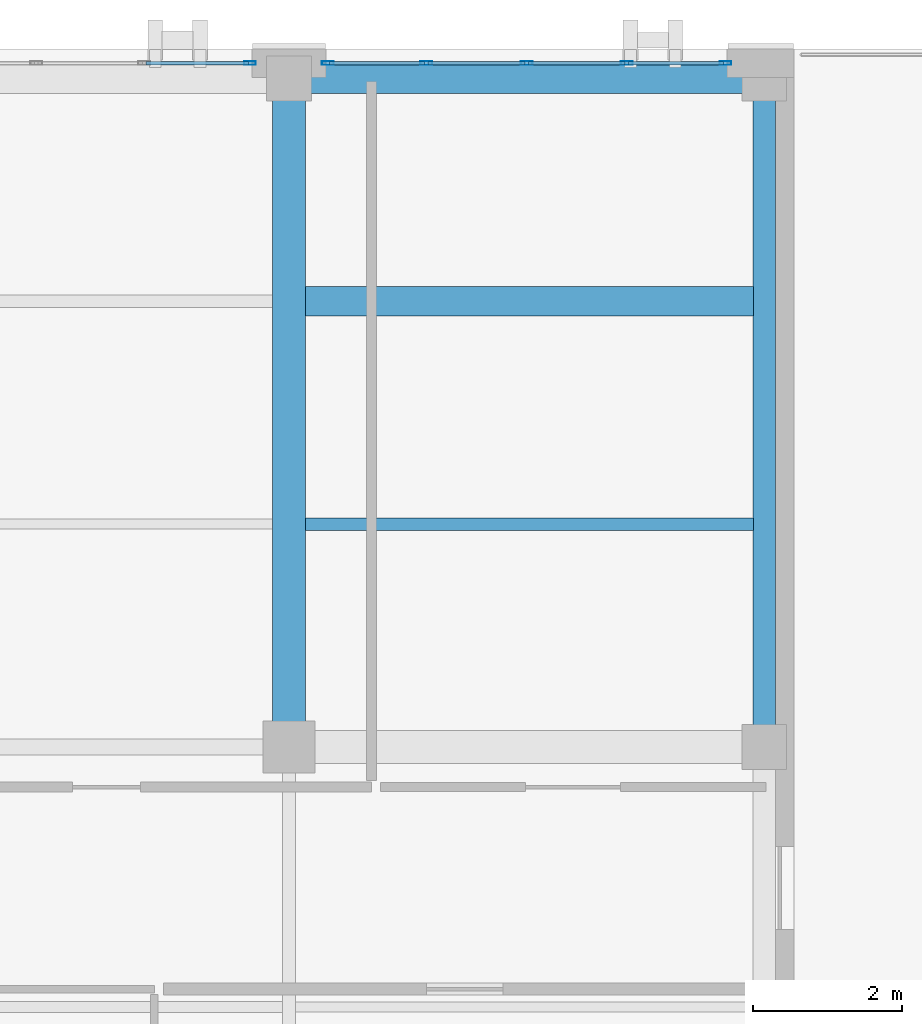
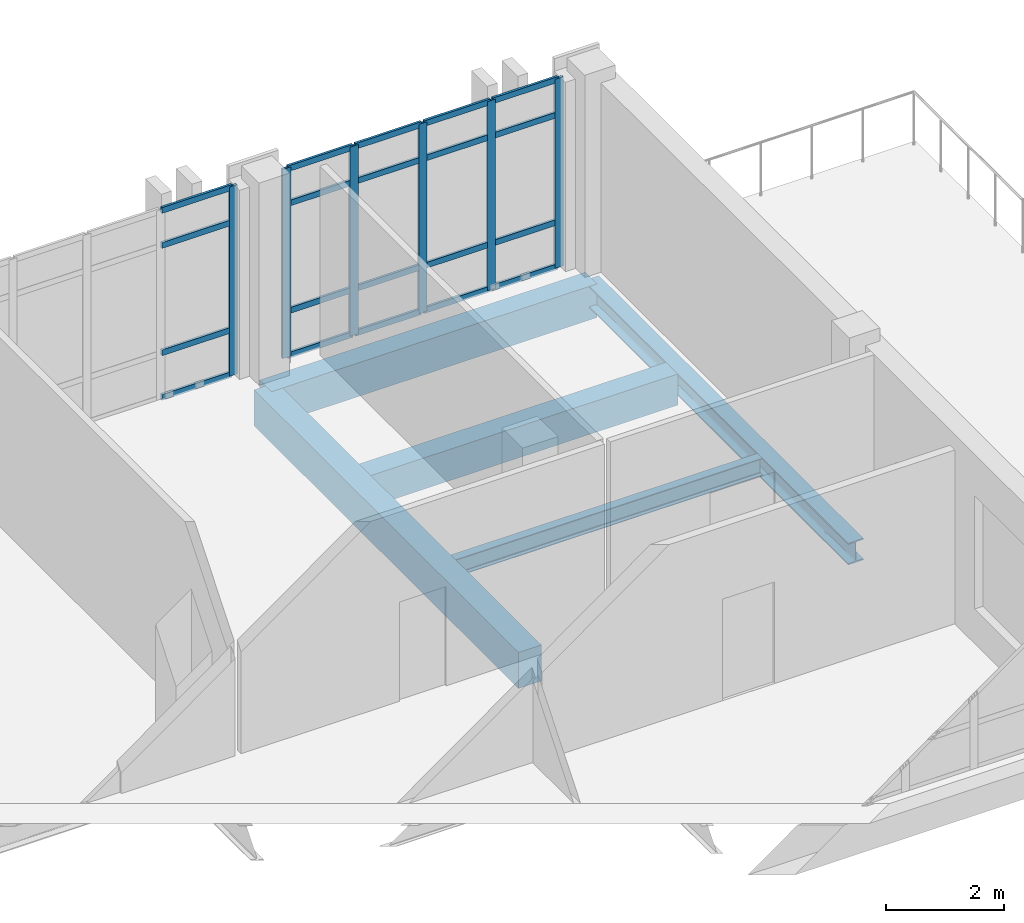
# One storey, part 49 of 90: 26 members, 5 beams, 2 elements without a shape of their own.
"""IFC4 building model written with IfcOpenShell, lengths in metres."""

from ifc_helpers import new_model, si_unit, direction, frame, origin, origin_2d, place, context, subcontext, project, spatial, rectangle, hollow_rectangle, i_section, extrude, material, layer, layer_set, material_profile, profile_set, type_object, element, aggregate, save


model = new_model("IFC4")

# Units and contexts
model_context = context("Model", 3, precision=1e-05, world=origin(), true_north=direction((0.0, 1.0)))
body_context = subcontext(model_context, "Body", "Model", "MODEL_VIEW")
ifc_project = project(units=[si_unit("LENGTHUNIT", "METRE"), si_unit("AREAUNIT", "SQUARE_METRE"), si_unit("VOLUMEUNIT", "CUBIC_METRE"), si_unit("PLANEANGLEUNIT", "RADIAN"), si_unit("MASSUNIT", "GRAM", prefix="KILO")], contexts=[model_context])

# Site, building, storey
site_placement = place(None, origin())
site = spatial("IfcSite", under=ifc_project, at=site_placement, CompositionType="ELEMENT")
building_placement = place(site_placement, origin())
building = spatial("IfcBuilding", under=site, at=building_placement, Name="Qalavern Law Courts", CompositionType="ELEMENT")
storey_placement = place(building_placement, frame((0.0, 0.0, 22.800048828125)))
storey = spatial("IfcBuildingStorey", under=building, at=storey_placement, Name="L05", CompositionType="ELEMENT", Elevation=22.800048828125)

# Curtain wall, members
ifc_material_1 = material(Name="Anodised aluminium and insulated glazing", Category="aluminium")
ifc_layer = layer(ifc_material_1, 0.166015625)
ifc_layer_set = layer_set([ifc_layer], Name="Anodised aluminium and insulated glazing")
curtain_wall_type = type_object("IfcCurtainWallType", Name="ENV-CW-LIB", PredefinedType="USERDEFINED", material=ifc_layer_set)
curtain_wall_1_placement = place(storey_placement, origin())
curtain_wall_1 = element("IfcCurtainWall", 1, at=curtain_wall_1_placement, inside=storey, type_object=curtain_wall_type, Name="V5 unitised curtain wall L05 north 1", ObjectType="UNITISED CURTAIN WALL", PredefinedType="USERDEFINED")
ifc_material_2 = material(Name="Anodised aluminium", Category="aluminium")
ifc_material_profile_1 = material_profile(ifc_material_2, hollow_rectangle(XDim=0.048095703125, YDim=0.159912109375, WallThickness=0.00390625, at=origin_2d()), Name="ALU MULLION 48x160")
ifc_profile_set_1 = profile_set([ifc_material_profile_1], Name="Anodised aluminium")
member_type_1 = type_object("IfcMemberType", Name="ENV-CWM-48x160", PredefinedType="MULLION", material=ifc_profile_set_1)
member_1_placement = place(storey_placement, frame((57.47607421875, 112.8076171875, 0.0), z_axis=(0.0, 0.0, 1.0), x_axis=(0.0, -1.0, 0.0)))
member_1 = element("IfcMember", 2, at=member_1_placement, type_object=member_type_1, Name="CW-05 mullion 1", PredefinedType="MULLION", context=body_context, shape_type="SweptSolid", body=[
    extrude(hollow_rectangle(XDim=0.048095703125, YDim=0.159912109375, WallThickness=0.00390625, at=origin_2d()), origin(), (0.0, 0.0, 1.0), 3.929931640625),
])
member_2_placement = place(storey_placement, frame((56.14990234375, 112.8076171875, 0.0), z_axis=(0.0, 0.0, 1.0), x_axis=(0.0, -1.0, 0.0)))
member_2 = element("IfcMember", 3, at=member_2_placement, type_object=member_type_1, Name="CW-05 mullion 2", PredefinedType="MULLION", context=body_context, shape_type="SweptSolid", body=[
    extrude(hollow_rectangle(XDim=0.048095703125, YDim=0.159912109375, WallThickness=0.00390625, at=origin_2d()), origin(), (0.0, 0.0, 1.0), 3.929931640625),
])
member_3_placement = place(storey_placement, frame((54.800048828125, 112.8076171875, 0.0), z_axis=(0.0, 0.0, 1.0), x_axis=(0.0, -1.0, 0.0)))
member_3 = element("IfcMember", 4, at=member_3_placement, type_object=member_type_1, Name="CW-05 mullion 3", PredefinedType="MULLION", context=body_context, shape_type="SweptSolid", body=[
    extrude(hollow_rectangle(XDim=0.048095703125, YDim=0.159912109375, WallThickness=0.00390625, at=origin_2d()), origin(), (0.0, 0.0, 1.0), 3.929931640625),
])
member_4_placement = place(storey_placement, frame((53.449951171875, 112.8076171875, 0.0), z_axis=(0.0, 0.0, 1.0), x_axis=(0.0, -1.0, 0.0)))
member_4 = element("IfcMember", 5, at=member_4_placement, type_object=member_type_1, Name="CW-05 mullion 4", PredefinedType="MULLION", context=body_context, shape_type="SweptSolid", body=[
    extrude(hollow_rectangle(XDim=0.048095703125, YDim=0.159912109375, WallThickness=0.00390625, at=origin_2d()), origin(), (0.0, 0.0, 1.0), 3.929931640625),
])
member_5_placement = place(storey_placement, frame((52.1240234375, 112.8076171875, 0.0), z_axis=(0.0, 0.0, 1.0), x_axis=(0.0, -1.0, 0.0)))
member_5 = element("IfcMember", 6, at=member_5_placement, type_object=member_type_1, Name="CW-05 mullion 5", PredefinedType="MULLION", context=body_context, shape_type="SweptSolid", body=[
    extrude(hollow_rectangle(XDim=0.048095703125, YDim=0.159912109375, WallThickness=0.00390625, at=origin_2d()), origin(), (0.0, 0.0, 1.0), 3.929931640625),
])

# Curtain wall, member
curtain_wall_2_placement = place(storey_placement, origin())
curtain_wall_2 = element("IfcCurtainWall", 7, at=curtain_wall_2_placement, inside=storey, type_object=curtain_wall_type, Name="V5 unitised curtain wall L05 north 2", ObjectType="UNITISED CURTAIN WALL", PredefinedType="USERDEFINED")
member_6_placement = place(storey_placement, frame((51.075927734375, 112.8076171875, 0.0), z_axis=(0.0, 0.0, 1.0), x_axis=(0.0, -1.0, 0.0)))
member_6 = element("IfcMember", 8, at=member_6_placement, type_object=member_type_1, Name="CW-05 mullion 1", PredefinedType="MULLION", context=body_context, shape_type="SweptSolid", body=[
    extrude(hollow_rectangle(XDim=0.048095703125, YDim=0.159912109375, WallThickness=0.00390625, at=origin_2d()), origin(), (0.0, 0.0, 1.0), 3.929931640625),
])

# Member
ifc_material_profile_2 = material_profile(ifc_material_2, hollow_rectangle(XDim=0.048095703125, YDim=0.1201171875, WallThickness=0.00390625, at=origin_2d()), Name="ALU TRANSOM 48x120")
ifc_profile_set_2 = profile_set([ifc_material_profile_2], Name="Anodised aluminium")
member_type_2 = type_object("IfcMemberType", Name="ENV-CWT-48x120", PredefinedType="USERDEFINED", material=ifc_profile_set_2)
member_7_placement = place(storey_placement, frame((57.451904296875, 112.8076171875, 0.02392578125), z_axis=(-1.0, 0.0, 0.0), x_axis=(0.0, -1.0, 0.0)))
member_7 = element("IfcMember", 9, at=member_7_placement, type_object=member_type_2, Name="CW-05 transom 1.1", ObjectType="TRANSOM", PredefinedType="USERDEFINED", context=body_context, shape_type="SweptSolid", body=[
    extrude(hollow_rectangle(XDim=0.048095703125, YDim=0.1201171875, WallThickness=0.00390625, at=origin_2d()), origin(), (0.0, 0.0, 1.0), 1.27783203125),
])

member_8_placement = place(storey_placement, frame((57.451904296875, 112.8076171875, 0.949951171875), z_axis=(-1.0, 0.0, 0.0), x_axis=(0.0, -1.0, 0.0)))
member_8 = element("IfcMember", 10, at=member_8_placement, type_object=member_type_2, Name="CW-05 transom 1.2", ObjectType="TRANSOM", PredefinedType="USERDEFINED", context=body_context, shape_type="SweptSolid", body=[
    extrude(hollow_rectangle(XDim=0.048095703125, YDim=0.1201171875, WallThickness=0.00390625, at=origin_2d()), origin(), (0.0, 0.0, 1.0), 1.27783203125),
])

member_9_placement = place(storey_placement, frame((57.451904296875, 112.8076171875, 3.179931640625), z_axis=(-1.0, 0.0, 0.0), x_axis=(0.0, -1.0, 0.0)))
member_9 = element("IfcMember", 11, at=member_9_placement, type_object=member_type_2, Name="CW-05 transom 1.3", ObjectType="TRANSOM", PredefinedType="USERDEFINED", context=body_context, shape_type="SweptSolid", body=[
    extrude(hollow_rectangle(XDim=0.048095703125, YDim=0.1201171875, WallThickness=0.00390625, at=origin_2d()), origin(), (0.0, 0.0, 1.0), 1.27783203125),
])

member_10_placement = place(storey_placement, frame((57.451904296875, 112.8076171875, 3.906005859375), z_axis=(-1.0, 0.0, 0.0), x_axis=(0.0, -1.0, 0.0)))
member_10 = element("IfcMember", 12, at=member_10_placement, type_object=member_type_2, Name="CW-05 transom 1.4", ObjectType="TRANSOM", PredefinedType="USERDEFINED", context=body_context, shape_type="SweptSolid", body=[
    extrude(hollow_rectangle(XDim=0.048095703125, YDim=0.1201171875, WallThickness=0.00390625, at=origin_2d()), origin(), (0.0, 0.0, 1.0), 1.27783203125),
])

member_11_placement = place(storey_placement, frame((56.1259765625, 112.8076171875, 0.02392578125), z_axis=(-1.0, 0.0, 0.0), x_axis=(0.0, -1.0, 0.0)))
member_11 = element("IfcMember", 13, at=member_11_placement, type_object=member_type_2, Name="CW-05 transom 2.1", ObjectType="TRANSOM", PredefinedType="USERDEFINED", context=body_context, shape_type="SweptSolid", body=[
    extrude(hollow_rectangle(XDim=0.048095703125, YDim=0.1201171875, WallThickness=0.00390625, at=origin_2d()), origin(), (0.0, 0.0, 1.0), 1.302001953125),
])

member_12_placement = place(storey_placement, frame((56.1259765625, 112.8076171875, 0.949951171875), z_axis=(-1.0, 0.0, 0.0), x_axis=(0.0, -1.0, 0.0)))
member_12 = element("IfcMember", 14, at=member_12_placement, type_object=member_type_2, Name="CW-05 transom 2.2", ObjectType="TRANSOM", PredefinedType="USERDEFINED", context=body_context, shape_type="SweptSolid", body=[
    extrude(hollow_rectangle(XDim=0.048095703125, YDim=0.1201171875, WallThickness=0.00390625, at=origin_2d()), origin(), (0.0, 0.0, 1.0), 1.302001953125),
])

member_13_placement = place(storey_placement, frame((56.1259765625, 112.8076171875, 3.179931640625), z_axis=(-1.0, 0.0, 0.0), x_axis=(0.0, -1.0, 0.0)))
member_13 = element("IfcMember", 15, at=member_13_placement, type_object=member_type_2, Name="CW-05 transom 2.3", ObjectType="TRANSOM", PredefinedType="USERDEFINED", context=body_context, shape_type="SweptSolid", body=[
    extrude(hollow_rectangle(XDim=0.048095703125, YDim=0.1201171875, WallThickness=0.00390625, at=origin_2d()), origin(), (0.0, 0.0, 1.0), 1.302001953125),
])

member_14_placement = place(storey_placement, frame((56.1259765625, 112.8076171875, 3.906005859375), z_axis=(-1.0, 0.0, 0.0), x_axis=(0.0, -1.0, 0.0)))
member_14 = element("IfcMember", 16, at=member_14_placement, type_object=member_type_2, Name="CW-05 transom 2.4", ObjectType="TRANSOM", PredefinedType="USERDEFINED", context=body_context, shape_type="SweptSolid", body=[
    extrude(hollow_rectangle(XDim=0.048095703125, YDim=0.1201171875, WallThickness=0.00390625, at=origin_2d()), origin(), (0.0, 0.0, 1.0), 1.302001953125),
])

member_15_placement = place(storey_placement, frame((54.77587890625, 112.8076171875, 0.02392578125), z_axis=(-1.0, 0.0, 0.0), x_axis=(0.0, -1.0, 0.0)))
member_15 = element("IfcMember", 17, at=member_15_placement, type_object=member_type_2, Name="CW-05 transom 3.1", ObjectType="TRANSOM", PredefinedType="USERDEFINED", context=body_context, shape_type="SweptSolid", body=[
    extrude(hollow_rectangle(XDim=0.048095703125, YDim=0.1201171875, WallThickness=0.00390625, at=origin_2d()), origin(), (0.0, 0.0, 1.0), 1.3017578125),
])

member_16_placement = place(storey_placement, frame((54.77587890625, 112.8076171875, 0.949951171875), z_axis=(-1.0, 0.0, 0.0), x_axis=(0.0, -1.0, 0.0)))
member_16 = element("IfcMember", 18, at=member_16_placement, type_object=member_type_2, Name="CW-05 transom 3.2", ObjectType="TRANSOM", PredefinedType="USERDEFINED", context=body_context, shape_type="SweptSolid", body=[
    extrude(hollow_rectangle(XDim=0.048095703125, YDim=0.1201171875, WallThickness=0.00390625, at=origin_2d()), origin(), (0.0, 0.0, 1.0), 1.3017578125),
])

member_17_placement = place(storey_placement, frame((54.77587890625, 112.8076171875, 3.179931640625), z_axis=(-1.0, 0.0, 0.0), x_axis=(0.0, -1.0, 0.0)))
member_17 = element("IfcMember", 19, at=member_17_placement, type_object=member_type_2, Name="CW-05 transom 3.3", ObjectType="TRANSOM", PredefinedType="USERDEFINED", context=body_context, shape_type="SweptSolid", body=[
    extrude(hollow_rectangle(XDim=0.048095703125, YDim=0.1201171875, WallThickness=0.00390625, at=origin_2d()), origin(), (0.0, 0.0, 1.0), 1.3017578125),
])

member_18_placement = place(storey_placement, frame((54.77587890625, 112.8076171875, 3.906005859375), z_axis=(-1.0, 0.0, 0.0), x_axis=(0.0, -1.0, 0.0)))
member_18 = element("IfcMember", 20, at=member_18_placement, type_object=member_type_2, Name="CW-05 transom 3.4", ObjectType="TRANSOM", PredefinedType="USERDEFINED", context=body_context, shape_type="SweptSolid", body=[
    extrude(hollow_rectangle(XDim=0.048095703125, YDim=0.1201171875, WallThickness=0.00390625, at=origin_2d()), origin(), (0.0, 0.0, 1.0), 1.3017578125),
])

member_19_placement = place(storey_placement, frame((53.426025390625, 112.8076171875, 0.02392578125), z_axis=(-1.0, 0.0, 0.0), x_axis=(0.0, -1.0, 0.0)))
member_19 = element("IfcMember", 21, at=member_19_placement, type_object=member_type_2, Name="CW-05 transom 4.1", ObjectType="TRANSOM", PredefinedType="USERDEFINED", context=body_context, shape_type="SweptSolid", body=[
    extrude(hollow_rectangle(XDim=0.048095703125, YDim=0.1201171875, WallThickness=0.00390625, at=origin_2d()), origin(), (0.0, 0.0, 1.0), 1.278076171875),
])

member_20_placement = place(storey_placement, frame((53.426025390625, 112.8076171875, 0.949951171875), z_axis=(-1.0, 0.0, 0.0), x_axis=(0.0, -1.0, 0.0)))
member_20 = element("IfcMember", 22, at=member_20_placement, type_object=member_type_2, Name="CW-05 transom 4.2", ObjectType="TRANSOM", PredefinedType="USERDEFINED", context=body_context, shape_type="SweptSolid", body=[
    extrude(hollow_rectangle(XDim=0.048095703125, YDim=0.1201171875, WallThickness=0.00390625, at=origin_2d()), origin(), (0.0, 0.0, 1.0), 1.278076171875),
])

member_21_placement = place(storey_placement, frame((53.426025390625, 112.8076171875, 3.179931640625), z_axis=(-1.0, 0.0, 0.0), x_axis=(0.0, -1.0, 0.0)))
member_21 = element("IfcMember", 23, at=member_21_placement, type_object=member_type_2, Name="CW-05 transom 4.3", ObjectType="TRANSOM", PredefinedType="USERDEFINED", context=body_context, shape_type="SweptSolid", body=[
    extrude(hollow_rectangle(XDim=0.048095703125, YDim=0.1201171875, WallThickness=0.00390625, at=origin_2d()), origin(), (0.0, 0.0, 1.0), 1.278076171875),
])

member_22_placement = place(storey_placement, frame((53.426025390625, 112.8076171875, 3.906005859375), z_axis=(-1.0, 0.0, 0.0), x_axis=(0.0, -1.0, 0.0)))
member_22 = element("IfcMember", 24, at=member_22_placement, type_object=member_type_2, Name="CW-05 transom 4.4", ObjectType="TRANSOM", PredefinedType="USERDEFINED", context=body_context, shape_type="SweptSolid", body=[
    extrude(hollow_rectangle(XDim=0.048095703125, YDim=0.1201171875, WallThickness=0.00390625, at=origin_2d()), origin(), (0.0, 0.0, 1.0), 1.278076171875),
])

aggregate(curtain_wall_1, [member_1, member_2, member_3, member_4, member_5, member_7, member_8, member_9, member_10, member_11, member_12, member_13, member_14, member_15, member_16, member_17, member_18, member_19, member_20, member_21, member_22])

member_23_placement = place(storey_placement, frame((51.052001953125, 112.8076171875, 0.02392578125), z_axis=(-1.0, 0.0, 0.0), x_axis=(0.0, -1.0, 0.0)))
member_23 = element("IfcMember", 25, at=member_23_placement, type_object=member_type_2, Name="CW-05 transom 1.1", ObjectType="TRANSOM", PredefinedType="USERDEFINED", context=body_context, shape_type="SweptSolid", body=[
    extrude(hollow_rectangle(XDim=0.048095703125, YDim=0.1201171875, WallThickness=0.00390625, at=origin_2d()), origin(), (0.0, 0.0, 1.0), 1.3779296875),
])

member_24_placement = place(storey_placement, frame((51.052001953125, 112.8076171875, 0.949951171875), z_axis=(-1.0, 0.0, 0.0), x_axis=(0.0, -1.0, 0.0)))
member_24 = element("IfcMember", 26, at=member_24_placement, type_object=member_type_2, Name="CW-05 transom 1.2", ObjectType="TRANSOM", PredefinedType="USERDEFINED", context=body_context, shape_type="SweptSolid", body=[
    extrude(hollow_rectangle(XDim=0.048095703125, YDim=0.1201171875, WallThickness=0.00390625, at=origin_2d()), origin(), (0.0, 0.0, 1.0), 1.3779296875),
])

member_25_placement = place(storey_placement, frame((51.052001953125, 112.8076171875, 3.179931640625), z_axis=(-1.0, 0.0, 0.0), x_axis=(0.0, -1.0, 0.0)))
member_25 = element("IfcMember", 27, at=member_25_placement, type_object=member_type_2, Name="CW-05 transom 1.3", ObjectType="TRANSOM", PredefinedType="USERDEFINED", context=body_context, shape_type="SweptSolid", body=[
    extrude(hollow_rectangle(XDim=0.048095703125, YDim=0.1201171875, WallThickness=0.00390625, at=origin_2d()), origin(), (0.0, 0.0, 1.0), 1.3779296875),
])

member_26_placement = place(storey_placement, frame((51.052001953125, 112.8076171875, 3.906005859375), z_axis=(-1.0, 0.0, 0.0), x_axis=(0.0, -1.0, 0.0)))
member_26 = element("IfcMember", 28, at=member_26_placement, type_object=member_type_2, Name="CW-05 transom 1.4", ObjectType="TRANSOM", PredefinedType="USERDEFINED", context=body_context, shape_type="SweptSolid", body=[
    extrude(hollow_rectangle(XDim=0.048095703125, YDim=0.1201171875, WallThickness=0.00390625, at=origin_2d()), origin(), (0.0, 0.0, 1.0), 1.3779296875),
])

aggregate(curtain_wall_2, [member_6, member_23, member_24, member_25, member_26])

# Beams
ifc_material_3 = material(Name="Concrete C40/50", Category="concrete")
ifc_material_profile_3 = material_profile(ifc_material_3, rectangle(XDim=0.449951171875, YDim=0.75, at=origin_2d()), Name="RC 450x750")
ifc_profile_set_3 = profile_set([ifc_material_profile_3], Name="Concrete C40/50")
beam_type_1 = type_object("IfcBeamType", Name="STR-BM-RC450x750", PredefinedType="BEAM", material=ifc_profile_set_3)
beam_1_placement = place(storey_placement, frame((51.60009765625, 103.60009765625, -0.671142578125), z_axis=(0.0, 1.0, 0.0), x_axis=(-1.0, 0.0, 0.0)))
element("IfcBeam", 29, at=beam_1_placement, inside=storey, type_object=beam_type_1, Name="V5 Y-beam 4-2 L05", PredefinedType="BEAM", context=body_context, shape_type="SweptSolid", body=[
    extrude(rectangle(XDim=0.449951171875, YDim=0.75, at=origin_2d()), origin(), (0.0, 0.0, 1.0), 9.0),
])
ifc_material_4 = material(Name="Steel S355", Category="steel")
ifc_material_profile_4 = material_profile(ifc_material_4, i_section(OverallWidth=0.169921875, OverallDepth=0.360107421875, WebThickness=0.008056640625, FlangeThickness=0.0126953125, FilletRadius=0.01806640625, at=origin_2d()), Name="IPE 360")
ifc_profile_set_4 = profile_set([ifc_material_profile_4], Name="Steel S355")
beam_type_2 = type_object("IfcBeamType", Name="STR-JST-IPE360", PredefinedType="JOIST", material=ifc_profile_set_4)
beam_2_placement = place(storey_placement, frame((51.822998046875, 106.60009765625, -0.47607421875), z_axis=(1.0, 0.0, 0.0), x_axis=(0.0, 1.0, 0.0)))
element("IfcBeam", 30, at=beam_2_placement, inside=storey, type_object=beam_type_2, Name="V5 secondary joist 4.2.1 L05", PredefinedType="JOIST", context=body_context, shape_type="SweptSolid", body=[
    extrude(i_section(OverallWidth=0.169921875, OverallDepth=0.360107421875, WebThickness=0.008056640625, FlangeThickness=0.0126953125, FilletRadius=0.01806640625, at=origin_2d()), origin(), (0.0, 0.0, 1.0), 6.029052734375),
])
ifc_material_5 = material(Name="Concrete C35/45", Category="concrete")
ifc_material_profile_5 = material_profile(ifc_material_5, rectangle(XDim=0.39990234375, YDim=0.64990234375, at=origin_2d()), Name="RC 400x650")
ifc_profile_set_5 = profile_set([ifc_material_profile_5], Name="Concrete C35/45")
beam_type_3 = type_object("IfcBeamType", Name="STR-JST-RC400x650", PredefinedType="JOIST", material=ifc_profile_set_5)
beam_3_placement = place(storey_placement, frame((51.822998046875, 109.60009765625, -0.62109375), z_axis=(1.0, 0.0, 0.0), x_axis=(0.0, 1.0, 0.0)))
element("IfcBeam", 31, at=beam_3_placement, inside=storey, type_object=beam_type_3, Name="V5 secondary joist 4.2.2 L05", PredefinedType="JOIST", context=body_context, shape_type="SweptSolid", body=[
    extrude(rectangle(XDim=0.39990234375, YDim=0.64990234375, at=origin_2d()), origin(), (0.0, 0.0, 1.0), 6.029052734375),
])
ifc_material_profile_6 = material_profile(ifc_material_4, i_section(OverallWidth=0.300048828125, OverallDepth=0.449951171875, WebThickness=0.013916015625, FlangeThickness=0.02587890625, FilletRadius=0.027099609375, at=origin_2d()), Name="HEB 450")
ifc_profile_set_6 = profile_set([ifc_material_profile_6], Name="Steel S355")
beam_type_4 = type_object("IfcBeamType", Name="STR-SP-HEB450", PredefinedType="SPANDREL", material=ifc_profile_set_6)
beam_4_placement = place(storey_placement, frame((58.0, 103.60009765625, -0.52099609375), z_axis=(0.0, 1.0, 0.0), x_axis=(-1.0, 0.0, 0.0)))
element("IfcBeam", 32, at=beam_4_placement, inside=storey, type_object=beam_type_4, Name="V5 Y-beam 5-2 L05", PredefinedType="SPANDREL", context=body_context, shape_type="SweptSolid", body=[
    extrude(i_section(OverallWidth=0.300048828125, OverallDepth=0.449951171875, WebThickness=0.013916015625, FlangeThickness=0.02587890625, FilletRadius=0.027099609375, at=origin_2d()), origin(), (0.0, 0.0, 1.0), 9.0),
])
ifc_material_profile_7 = material_profile(ifc_material_3, rectangle(XDim=0.39990234375, YDim=0.699951171875, at=origin_2d()), Name="RC 400x700")
ifc_profile_set_7 = profile_set([ifc_material_profile_7], Name="Concrete C40/50")
beam_type_5 = type_object("IfcBeamType", Name="STR-SP-RC400x700", PredefinedType="SPANDREL", material=ifc_profile_set_7)
beam_5_placement = place(storey_placement, frame((51.60009765625, 112.60009765625, -0.64599609375), z_axis=(1.0, 0.0, 0.0), x_axis=(0.0, 1.0, 0.0)))
element("IfcBeam", 33, at=beam_5_placement, inside=storey, type_object=beam_type_5, Name="V5 X-beam 3-4 L05", PredefinedType="SPANDREL", context=body_context, shape_type="SweptSolid", body=[
    extrude(rectangle(XDim=0.39990234375, YDim=0.699951171875, at=origin_2d()), origin(), (0.0, 0.0, 1.0), 6.39990234375),
])

save(model, "model.ifc")
